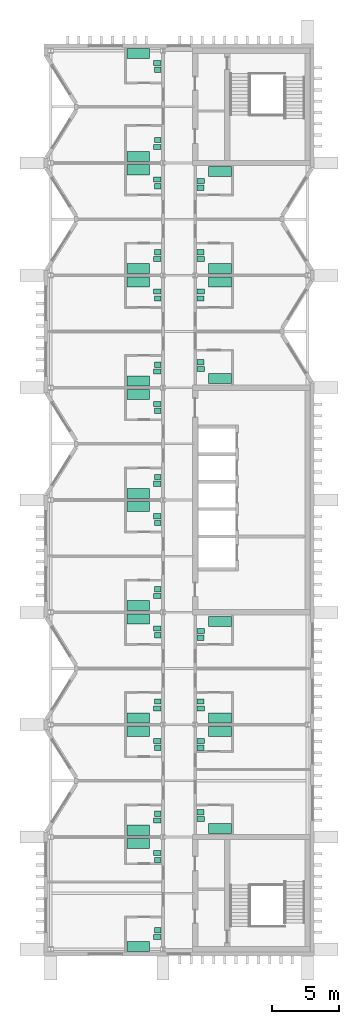
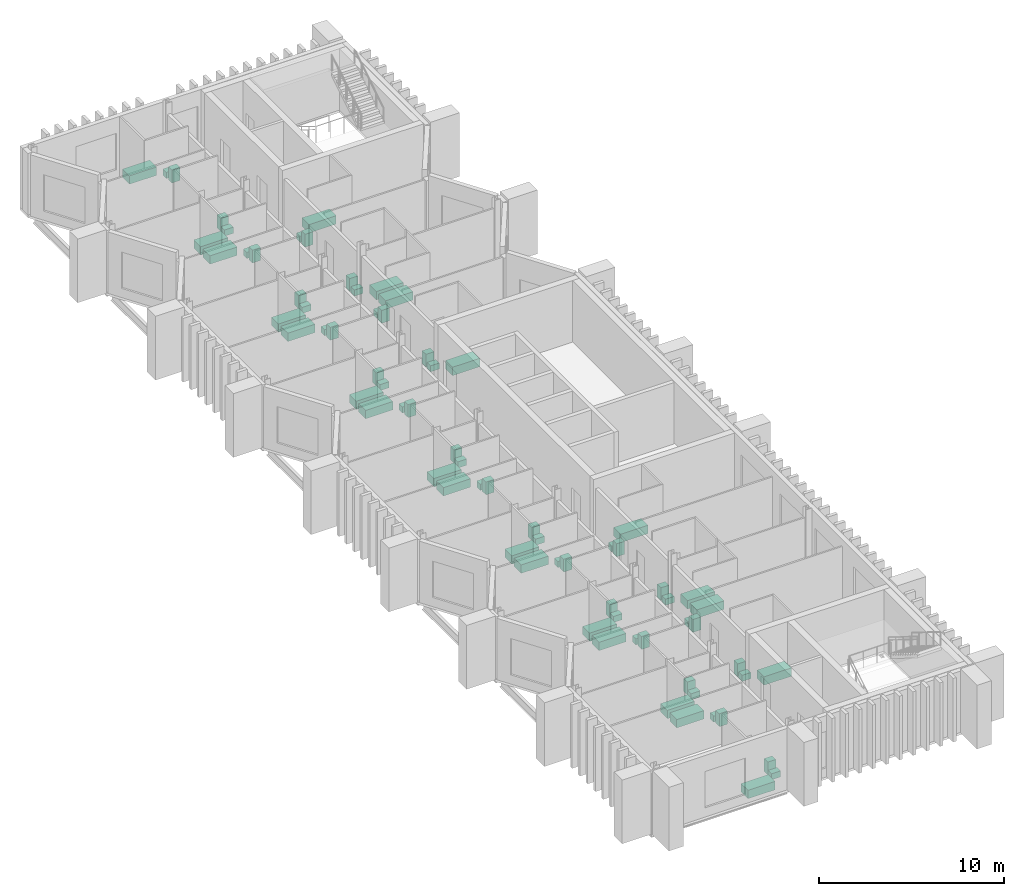
# One storey, part 11 of 11: 72 sanitary terminals.
"""IFC4 building model written with IfcOpenShell, lengths in metres."""

from ifc_helpers import new_model, si_unit, direction, frame, origin, origin_2d, place, context, subcontext, project, spatial, rectangle, extrude, material, type_object, element, save


model = new_model("IFC4")

# Units and contexts
model_context = context("Model", 3, precision=1e-05, world=origin(), true_north=direction((0.0, 1.0)))
body_context = subcontext(model_context, "Body", "Model", "MODEL_VIEW")
ifc_project = project(units=[si_unit("LENGTHUNIT", "METRE"), si_unit("AREAUNIT", "SQUARE_METRE"), si_unit("VOLUMEUNIT", "CUBIC_METRE"), si_unit("PLANEANGLEUNIT", "RADIAN"), si_unit("MASSUNIT", "GRAM", prefix="KILO")], contexts=[model_context])

# Site, building, storey
site_placement = place(None, origin())
site = spatial("IfcSite", under=ifc_project, at=site_placement, CompositionType="ELEMENT")
building_placement = place(site_placement, origin())
building = spatial("IfcBuilding", under=site, at=building_placement, Name="Cresset Court Congress Hotel", CompositionType="ELEMENT")
storey_placement = place(building_placement, frame((0.0, 0.0, 39.60009765625)))
storey = spatial("IfcBuildingStorey", under=building, at=storey_placement, Name="L09", CompositionType="ELEMENT", Elevation=39.60009765625)

# Sanitary terminals
ifc_material_1 = material(Name="Acrylic")
sanitary_terminal_type_1 = type_object("IfcSanitaryTerminalType", Name="Bath 1700x750", PredefinedType="BATH", material=ifc_material_1)
for number, where, z_axis, x_axis, name in (
    (1, (163.75, 0.205078125, 0.0), (0.0, 0.0, 1.0), (1.0, 0.0, 0.0), "Bath 1700x750 0901"),
    (2, (163.75, 7.89990234375, 0.0), (0.0, 0.0, 1.0), (1.0, 0.0, 0.0), "Bath 1700x750 0902"),
    (3, (163.75, 8.89990234375, 0.0), (0.0, 0.0, 1.0), (1.0, 0.0, 0.0), "Bath 1700x750 0903"),
    (4, (163.75, 16.300048828125, 0.0), (0.0, 0.0, 1.0), (1.0, 0.0, 0.0), "Bath 1700x750 0904"),
    (5, (163.75, 17.300048828125, 0.0), (0.0, 0.0, 1.0), (1.0, 0.0, 0.0), "Bath 1700x750 0905"),
    (6, (163.75, 24.699951171875, 0.0), (0.0, 0.0, 1.0), (1.0, 0.0, 0.0), "Bath 1700x750 0906"),
    (7, (163.75, 25.699951171875, 0.0), (0.0, 0.0, 1.0), (1.0, 0.0, 0.0), "Bath 1700x750 0907"),
    (8, (163.75, 33.10009765625, 0.0), (0.0, 0.0, 1.0), (1.0, 0.0, 0.0), "Bath 1700x750 0908"),
    (9, (163.75, 34.10009765625, 0.0), (0.0, 0.0, 1.0), (1.0, 0.0, 0.0), "Bath 1700x750 0909"),
    (10, (163.75, 41.5, 0.0), (0.0, 0.0, 1.0), (1.0, 0.0, 0.0), "Bath 1700x750 0910"),
    (11, (163.75, 42.5, 0.0), (0.0, 0.0, 1.0), (1.0, 0.0, 0.0), "Bath 1700x750 0911"),
    (12, (163.75, 49.89990234375, 0.0), (0.0, 0.0, 1.0), (1.0, 0.0, 0.0), "Bath 1700x750 0912"),
    (13, (163.75, 50.89990234375, 0.0), (0.0, 0.0, 1.0), (1.0, 0.0, 0.0), "Bath 1700x750 0913"),
    (14, (163.75, 58.300048828125, 0.0), (0.0, 0.0, 1.0), (1.0, 0.0, 0.0), "Bath 1700x750 0914"),
    (15, (163.75, 59.300048828125, 0.0), (0.0, 0.0, 1.0), (1.0, 0.0, 0.0), "Bath 1700x750 0915"),
    (16, (163.75, 66.9951171875, 0.0), (0.0, 0.0, 1.0), (1.0, 0.0, 0.0), "Bath 1700x750 0916"),
    (17, (169.85009765625, 9.02490234375, 0.0), (0.0, 0.0, 1.0), (1.0, 0.0, 0.0), "Bath 1700x750 0917"),
    (18, (169.85009765625, 16.300048828125, 0.0), (0.0, 0.0, 1.0), (1.0, 0.0, 0.0), "Bath 1700x750 0918"),
    (19, (169.85009765625, 17.300048828125, 0.0), (0.0, 0.0, 1.0), (1.0, 0.0, 0.0), "Bath 1700x750 0919"),
    (20, (169.85009765625, 24.52490234375, 0.0), (0.0, 0.0, 1.0), (1.0, 0.0, 0.0), "Bath 1700x750 0920"),
    (21, (169.85009765625, 42.675048828125, 0.0), (0.0, 0.0, 1.0), (1.0, 0.0, 0.0), "Bath 1700x750 0921"),
    (22, (169.85009765625, 49.89990234375, 0.0), (0.0, 0.0, 1.0), (1.0, 0.0, 0.0), "Bath 1700x750 0922"),
    (23, (169.85009765625, 50.89990234375, 0.0), (0.0, 0.0, 1.0), (1.0, 0.0, 0.0), "Bath 1700x750 0923"),
    (24, (169.85009765625, 58.175048828125, 0.0), (0.0, 0.0, 1.0), (1.0, 0.0, 0.0), "Bath 1700x750 0924"),
):
    element("IfcSanitaryTerminal", number, at=place(storey_placement, frame(where, z_axis=z_axis, x_axis=x_axis)), inside=storey, type_object=sanitary_terminal_type_1, Name=name, PredefinedType="BATH", context=body_context, shape_type="SweptSolid", body=[
        extrude(rectangle(XDim=1.699951171875, YDim=0.75, at=origin_2d()), origin(), (0.0, 0.0, 1.0), 0.550048828125),
    ])
ifc_material_2 = material(Name="Vitreous china")
sanitary_terminal_type_2 = type_object("IfcSanitaryTerminalType", Name="Toilet pan 550x380", PredefinedType="TOILETPAN", material=ifc_material_2)
for number, where, z_axis, x_axis, name in (
    (25, (165.175048828125, 0.919921875, 0.0), (0.0, 0.0, 1.0), (1.0, 0.0, 0.0), "Toilet pan 550x380 0901"),
    (26, (165.175048828125, 7.18505859375, 0.0), (0.0, 0.0, 1.0), (1.0, 0.0, 0.0), "Toilet pan 550x380 0902"),
    (27, (165.175048828125, 9.614990234375, 0.0), (0.0, 0.0, 1.0), (1.0, 0.0, 0.0), "Toilet pan 550x380 0903"),
    (28, (165.175048828125, 15.5849609375, 0.0), (0.0, 0.0, 1.0), (1.0, 0.0, 0.0), "Toilet pan 550x380 0904"),
    (29, (165.175048828125, 18.014892578125, 0.0), (0.0, 0.0, 1.0), (1.0, 0.0, 0.0), "Toilet pan 550x380 0905"),
    (30, (165.175048828125, 23.985107421875, 0.0), (0.0, 0.0, 1.0), (1.0, 0.0, 0.0), "Toilet pan 550x380 0906"),
    (31, (165.175048828125, 26.4150390625, 0.0), (0.0, 0.0, 1.0), (1.0, 0.0, 0.0), "Toilet pan 550x380 0907"),
    (32, (165.175048828125, 32.385009765625, 0.0), (0.0, 0.0, 1.0), (1.0, 0.0, 0.0), "Toilet pan 550x380 0908"),
    (33, (165.175048828125, 34.81494140625, 0.0), (0.0, 0.0, 1.0), (1.0, 0.0, 0.0), "Toilet pan 550x380 0909"),
    (34, (165.175048828125, 40.784912109375, 0.0), (0.0, 0.0, 1.0), (1.0, 0.0, 0.0), "Toilet pan 550x380 0910"),
    (35, (165.175048828125, 43.215087890625, 0.0), (0.0, 0.0, 1.0), (1.0, 0.0, 0.0), "Toilet pan 550x380 0911"),
    (36, (165.175048828125, 49.18505859375, 0.0), (0.0, 0.0, 1.0), (1.0, 0.0, 0.0), "Toilet pan 550x380 0912"),
    (37, (165.175048828125, 51.614990234375, 0.0), (0.0, 0.0, 1.0), (1.0, 0.0, 0.0), "Toilet pan 550x380 0913"),
    (38, (165.175048828125, 57.5849609375, 0.0), (0.0, 0.0, 1.0), (1.0, 0.0, 0.0), "Toilet pan 550x380 0914"),
    (39, (165.175048828125, 60.014892578125, 0.0), (0.0, 0.0, 1.0), (1.0, 0.0, 0.0), "Toilet pan 550x380 0915"),
    (40, (165.175048828125, 66.280029296875, 0.0), (0.0, 0.0, 1.0), (1.0, 0.0, 0.0), "Toilet pan 550x380 0916"),
    (41, (168.425048828125, 9.739990234375, 0.0), (0.0, 0.0, 1.0), (1.0, 0.0, 0.0), "Toilet pan 550x380 0917"),
    (42, (168.425048828125, 15.5849609375, 0.0), (0.0, 0.0, 1.0), (1.0, 0.0, 0.0), "Toilet pan 550x380 0918"),
    (43, (168.425048828125, 18.014892578125, 0.0), (0.0, 0.0, 1.0), (1.0, 0.0, 0.0), "Toilet pan 550x380 0919"),
    (44, (168.425048828125, 23.81005859375, 0.0), (0.0, 0.0, 1.0), (1.0, 0.0, 0.0), "Toilet pan 550x380 0920"),
    (45, (168.425048828125, 43.389892578125, 0.0), (0.0, 0.0, 1.0), (1.0, 0.0, 0.0), "Toilet pan 550x380 0921"),
    (46, (168.425048828125, 49.18505859375, 0.0), (0.0, 0.0, 1.0), (1.0, 0.0, 0.0), "Toilet pan 550x380 0922"),
    (47, (168.425048828125, 51.614990234375, 0.0), (0.0, 0.0, 1.0), (1.0, 0.0, 0.0), "Toilet pan 550x380 0923"),
    (48, (168.425048828125, 57.4599609375, 0.0), (0.0, 0.0, 1.0), (1.0, 0.0, 0.0), "Toilet pan 550x380 0924"),
):
    element("IfcSanitaryTerminal", number, at=place(storey_placement, frame(where, z_axis=z_axis, x_axis=x_axis)), inside=storey, type_object=sanitary_terminal_type_2, Name=name, PredefinedType="TOILETPAN", context=body_context, shape_type="SweptSolid", body=[
        extrude(rectangle(XDim=0.550048828125, YDim=0.3798828125, at=origin_2d()), origin(), (0.0, 0.0, 1.0), 0.39990234375),
    ])
ifc_material_3 = material(Name="Vitreous china")
sanitary_terminal_type_3 = type_object("IfcSanitaryTerminalType", Name="Wash basin 500x400", PredefinedType="WASHHANDBASIN", material=ifc_material_3)
for number, where, z_axis, x_axis, name in (
    (49, (165.199951171875, 1.429931640625, -0.000244140625), (0.0, 0.0, 1.0), (1.0, 0.0, 0.0), "Wash basin 500x400 0901"),
    (50, (165.199951171875, 6.675048828125, -0.000244140625), (0.0, 0.0, 1.0), (1.0, 0.0, 0.0), "Wash basin 500x400 0902"),
    (51, (165.199951171875, 10.125, -0.000244140625), (0.0, 0.0, 1.0), (1.0, 0.0, 0.0), "Wash basin 500x400 0903"),
    (52, (165.199951171875, 15.074951171875, -0.000244140625), (0.0, 0.0, 1.0), (1.0, 0.0, 0.0), "Wash basin 500x400 0904"),
    (53, (165.199951171875, 18.52490234375, -0.000244140625), (0.0, 0.0, 1.0), (1.0, 0.0, 0.0), "Wash basin 500x400 0905"),
    (54, (165.199951171875, 23.47509765625, -0.000244140625), (0.0, 0.0, 1.0), (1.0, 0.0, 0.0), "Wash basin 500x400 0906"),
    (55, (165.199951171875, 26.925048828125, -0.000244140625), (0.0, 0.0, 1.0), (1.0, 0.0, 0.0), "Wash basin 500x400 0907"),
    (56, (165.199951171875, 31.875, -0.000244140625), (0.0, 0.0, 1.0), (1.0, 0.0, 0.0), "Wash basin 500x400 0908"),
    (57, (165.199951171875, 35.324951171875, -0.000244140625), (0.0, 0.0, 1.0), (1.0, 0.0, 0.0), "Wash basin 500x400 0909"),
    (58, (165.199951171875, 40.27490234375, -0.000244140625), (0.0, 0.0, 1.0), (1.0, 0.0, 0.0), "Wash basin 500x400 0910"),
    (59, (165.199951171875, 43.72509765625, -0.000244140625), (0.0, 0.0, 1.0), (1.0, 0.0, 0.0), "Wash basin 500x400 0911"),
    (60, (165.199951171875, 48.675048828125, -0.000244140625), (0.0, 0.0, 1.0), (1.0, 0.0, 0.0), "Wash basin 500x400 0912"),
    (61, (165.199951171875, 52.125, -0.000244140625), (0.0, 0.0, 1.0), (1.0, 0.0, 0.0), "Wash basin 500x400 0913"),
    (62, (165.199951171875, 57.074951171875, -0.000244140625), (0.0, 0.0, 1.0), (1.0, 0.0, 0.0), "Wash basin 500x400 0914"),
    (63, (165.199951171875, 60.52490234375, -0.000244140625), (0.0, 0.0, 1.0), (1.0, 0.0, 0.0), "Wash basin 500x400 0915"),
    (64, (165.199951171875, 65.77001953125, -0.000244140625), (0.0, 0.0, 1.0), (1.0, 0.0, 0.0), "Wash basin 500x400 0916"),
    (65, (168.39990234375, 10.25, -0.000244140625), (0.0, 0.0, 1.0), (1.0, 0.0, 0.0), "Wash basin 500x400 0917"),
    (66, (168.39990234375, 15.074951171875, -0.000244140625), (0.0, 0.0, 1.0), (1.0, 0.0, 0.0), "Wash basin 500x400 0918"),
    (67, (168.39990234375, 18.52490234375, -0.000244140625), (0.0, 0.0, 1.0), (1.0, 0.0, 0.0), "Wash basin 500x400 0919"),
    (68, (168.39990234375, 23.300048828125, -0.000244140625), (0.0, 0.0, 1.0), (1.0, 0.0, 0.0), "Wash basin 500x400 0920"),
    (69, (168.39990234375, 43.89990234375, -0.000244140625), (0.0, 0.0, 1.0), (1.0, 0.0, 0.0), "Wash basin 500x400 0921"),
    (70, (168.39990234375, 48.675048828125, -0.000244140625), (0.0, 0.0, 1.0), (1.0, 0.0, 0.0), "Wash basin 500x400 0922"),
    (71, (168.39990234375, 52.125, -0.000244140625), (0.0, 0.0, 1.0), (1.0, 0.0, 0.0), "Wash basin 500x400 0923"),
    (72, (168.39990234375, 56.949951171875, -0.000244140625), (0.0, 0.0, 1.0), (1.0, 0.0, 0.0), "Wash basin 500x400 0924"),
):
    element("IfcSanitaryTerminal", number, at=place(storey_placement, frame(where, z_axis=z_axis, x_axis=x_axis)), inside=storey, type_object=sanitary_terminal_type_3, Name=name, PredefinedType="WASHHANDBASIN", context=body_context, shape_type="SweptSolid", body=[
        extrude(rectangle(XDim=0.5, YDim=0.39990234375, at=origin_2d()), origin(), (0.0, 0.0, 1.0), 0.85009765625),
    ])

save(model, "model.ifc")
